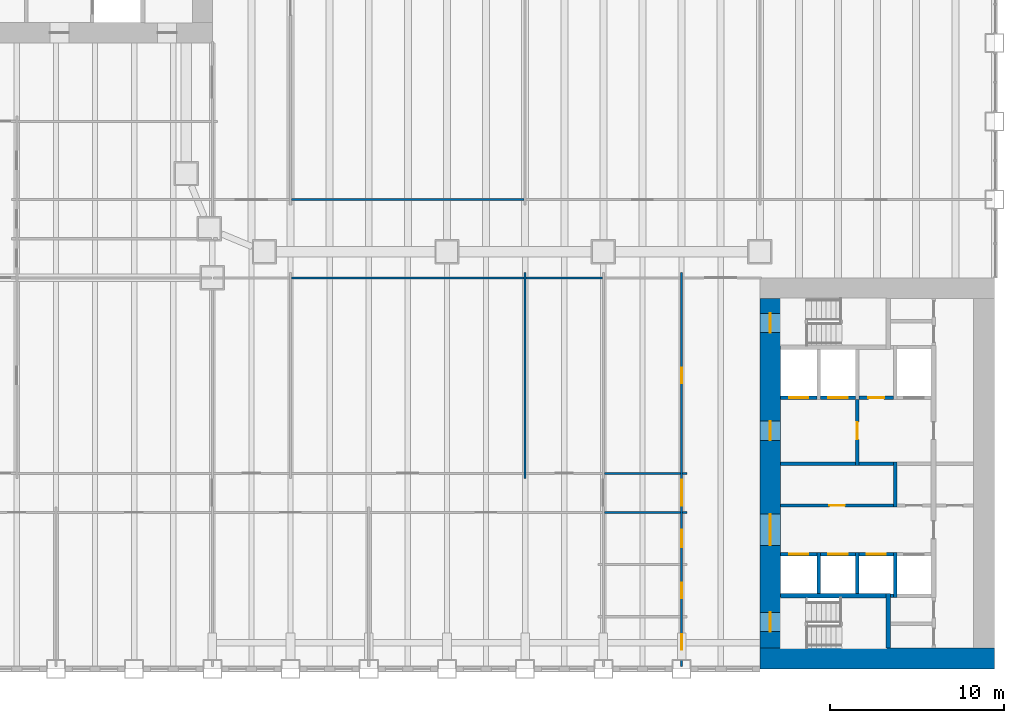
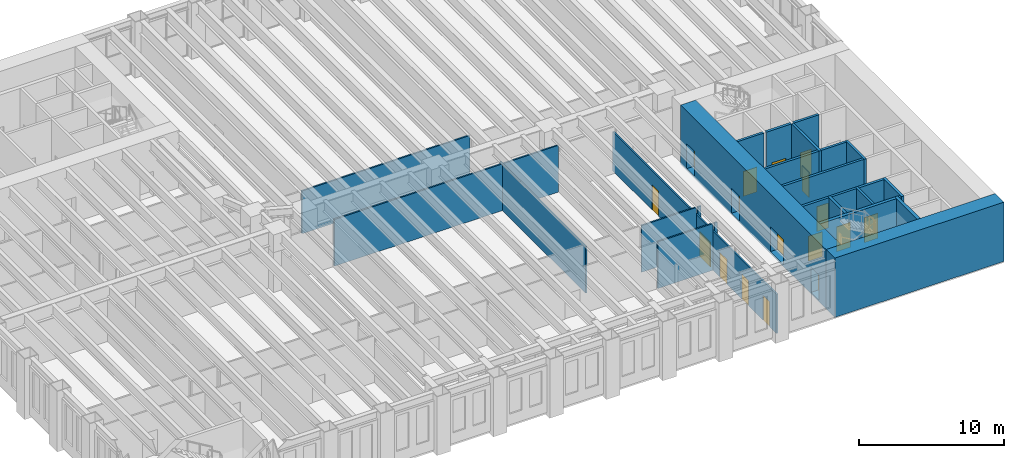
# One storey, part 13 of 21: 28 walls, 17 doors, 17 openings.
"""IFC4 building model written with IfcOpenShell, lengths in metres."""

from ifc_helpers import new_model, si_unit, direction, frame, frame_2d, origin, place, context, subcontext, project, spatial, rectangle, extrude, material, layer, layer_set, type_object, element, fill, save


model = new_model("IFC4")

# Units and contexts
model_context = context("Model", 3, precision=1e-05, world=origin(), true_north=direction((0.0, 1.0)))
body_context = subcontext(model_context, "Body", "Model", "MODEL_VIEW")
ifc_project = project(units=[si_unit("LENGTHUNIT", "METRE"), si_unit("AREAUNIT", "SQUARE_METRE"), si_unit("VOLUMEUNIT", "CUBIC_METRE"), si_unit("PLANEANGLEUNIT", "RADIAN"), si_unit("MASSUNIT", "GRAM", prefix="KILO")], contexts=[model_context])

# Site, building, storey
site_placement = place(None, origin())
site = spatial("IfcSite", under=ifc_project, at=site_placement, CompositionType="ELEMENT")
building_placement = place(site_placement, origin())
building = spatial("IfcBuilding", under=site, at=building_placement, Name="Sennacour Bend Tower", CompositionType="ELEMENT")
storey_placement = place(building_placement, frame((0.0, 0.0, 24.0)))
storey = spatial("IfcBuildingStorey", under=building, at=storey_placement, Name="L04", CompositionType="ELEMENT", Elevation=24.0)

# Wall
ifc_material_1 = material(Name="Concrete C80/95", Category="concrete")
ifc_layer_1 = layer(ifc_material_1, 1.199951171875, Name="Concrete C80/95", Category="concrete")
ifc_layer_set_1 = layer_set([ifc_layer_1], Name="Concrete C80/95")
wall_type_1 = type_object("IfcWallType", Name="Core wall 1200 C80/95", PredefinedType="SHEAR", material=ifc_layer_set_1)
wall_1_placement = place(storey_placement, frame((67.5, 0.60009765625, -0.14990234375), z_axis=(0.0, 0.0, 1.0), x_axis=(-1.0, 0.0, 0.0)))
element("IfcWall", 1, at=wall_1_placement, inside=storey, type_object=wall_type_1, Name="Core A wall L04 S", PredefinedType="SHEAR", context=body_context, shape_type="SweptSolid", body=[
    extrude(rectangle(XDim=13.5, YDim=1.199951171875, at=frame_2d((6.75, 0.0))), origin(), (0.0, 0.0, 1.0), 5.0),
])

# Wall, openings, doors
wall_2_placement = place(storey_placement, frame((54.60009765625, 1.199951171875, -0.14990234375), z_axis=(0.0, 0.0, 1.0), x_axis=(0.0, 1.0, 0.0)))
wall_2 = element("IfcWall", 2, at=wall_2_placement, inside=storey, type_object=wall_type_1, Name="Core A wall L04 W", PredefinedType="SHEAR", context=body_context, shape_type="SweptSolid", body=[
    extrude(rectangle(XDim=20.10009765625, YDim=1.199951171875, at=frame_2d((10.050048828125, 0.0))), origin(), (0.0, 0.0, 1.0), 5.0),
])
opening_1_placement = place(wall_2_placement, frame((5.89990234375, 0.0, 0.14990234375)))
opening_1 = element("IfcOpeningElement", 3, at=opening_1_placement, cuts=wall_2, Name="Opening CD", PredefinedType="OPENING", context=body_context, shape_type="SweptSolid", body=[
    extrude(rectangle(XDim=1.800048828125, YDim=2.10009765625, at=frame_2d((0.89990234375, 1.050048828125))), frame((0.0, 0.60986328125, 0.0), z_axis=(0.0, -1.0, 0.0), x_axis=(1.0, 0.0, 0.0)), (0.0, 0.0, 1.0), 1.219970703125),
])
opening_2_placement = place(wall_2_placement, frame((11.949951171875, 0.0, 0.14990234375)))
opening_2 = element("IfcOpeningElement", 4, at=opening_2_placement, cuts=wall_2, Name="Opening FD", PredefinedType="OPENING", context=body_context, shape_type="SweptSolid", body=[
    extrude(rectangle(XDim=1.10009765625, YDim=2.10009765625, at=frame_2d((0.550048828125, 1.050048828125))), frame((0.0, 0.60986328125, 0.0), z_axis=(0.0, -1.0, 0.0), x_axis=(1.0, 0.0, 0.0)), (0.0, 0.0, 1.0), 1.219970703125),
])
opening_3_placement = place(wall_2_placement, frame((0.949951171875, 0.0, 0.14990234375)))
opening_3 = element("IfcOpeningElement", 5, at=opening_3_placement, cuts=wall_2, Name="Opening SD", PredefinedType="OPENING", context=body_context, shape_type="SweptSolid", body=[
    extrude(rectangle(XDim=1.10009765625, YDim=2.10009765625, at=frame_2d((0.550048828125, 1.050048828125))), frame((0.0, 0.60986328125, 0.0), z_axis=(0.0, -1.0, 0.0), x_axis=(1.0, 0.0, 0.0)), (0.0, 0.0, 1.0), 1.219970703125),
])
opening_4_placement = place(wall_2_placement, frame((18.14990234375, 0.0, 0.14990234375)))
opening_4 = element("IfcOpeningElement", 6, at=opening_4_placement, cuts=wall_2, Name="Opening SD", PredefinedType="OPENING", context=body_context, shape_type="SweptSolid", body=[
    extrude(rectangle(XDim=1.10009765625, YDim=2.10009765625, at=frame_2d((0.550048828125, 1.050048828125))), frame((0.0, 0.60986328125, 0.0), z_axis=(0.0, -1.0, 0.0), x_axis=(1.0, 0.0, 0.0)), (0.0, 0.0, 1.0), 1.219970703125),
])
ifc_material_2 = material(Name="Painted steel", Category="steel")
door_type_1 = type_object("IfcDoorType", Name="DR-FFL-1100", OperationType="NOTDEFINED", PredefinedType="DOOR", material=ifc_material_2)
door_1_placement = place(opening_2_placement, origin())
door_1 = element("IfcDoor", 7, at=door_1_placement, inside=storey, type_object=door_type_1, Name="Door", OperationType="SINGLE_SWING_RIGHT", OverallHeight=2.10009765625, OverallWidth=1.10009765625, PredefinedType="DOOR", context=body_context, shape_type="SweptSolid", body=[
    extrude(rectangle(XDim=1.10009765625, YDim=2.10009765625, at=frame_2d((0.550048828125, 1.050048828125))), frame((0.0, 0.02490234375, 0.0), z_axis=(0.0, -1.0, 0.0), x_axis=(1.0, 0.0, 0.0)), (0.0, 0.0, 1.0), 0.050048828125),
])
fill(opening_2, door_1)
door_type_2 = type_object("IfcDoorType", Name="DR-LOBBY-1800", OperationType="NOTDEFINED", PredefinedType="DOOR", material=ifc_material_2)
door_2_placement = place(opening_1_placement, origin())
door_2 = element("IfcDoor", 8, at=door_2_placement, inside=storey, type_object=door_type_2, Name="Door", OperationType="DOUBLE_DOOR_SINGLE_SWING", OverallHeight=2.10009765625, OverallWidth=1.800048828125, PredefinedType="DOOR", context=body_context, shape_type="SweptSolid", body=[
    extrude(rectangle(XDim=1.800048828125, YDim=2.10009765625, at=frame_2d((0.89990234375, 1.050048828125))), frame((0.0, 0.02490234375, 0.0), z_axis=(0.0, -1.0, 0.0), x_axis=(1.0, 0.0, 0.0)), (0.0, 0.0, 1.0), 0.050048828125),
])
fill(opening_1, door_2)
door_type_3 = type_object("IfcDoorType", Name="DR-STAIR-1100", OperationType="NOTDEFINED", PredefinedType="DOOR", material=ifc_material_2)
door_3_placement = place(opening_3_placement, origin())
door_3 = element("IfcDoor", 9, at=door_3_placement, inside=storey, type_object=door_type_3, Name="Door", OperationType="SINGLE_SWING_LEFT", OverallHeight=2.10009765625, OverallWidth=1.10009765625, PredefinedType="DOOR", context=body_context, shape_type="SweptSolid", body=[
    extrude(rectangle(XDim=1.10009765625, YDim=2.10009765625, at=frame_2d((0.550048828125, 1.050048828125))), frame((0.0, 0.02490234375, 0.0), z_axis=(0.0, -1.0, 0.0), x_axis=(1.0, 0.0, 0.0)), (0.0, 0.0, 1.0), 0.050048828125),
])
fill(opening_3, door_3)
door_4_placement = place(opening_4_placement, origin())
door_4 = element("IfcDoor", 10, at=door_4_placement, inside=storey, type_object=door_type_3, Name="Door", OperationType="SINGLE_SWING_RIGHT", OverallHeight=2.10009765625, OverallWidth=1.10009765625, PredefinedType="DOOR", context=body_context, shape_type="SweptSolid", body=[
    extrude(rectangle(XDim=1.10009765625, YDim=2.10009765625, at=frame_2d((0.550048828125, 1.050048828125))), frame((0.0, 0.02490234375, 0.0), z_axis=(0.0, -1.0, 0.0), x_axis=(1.0, 0.0, 0.0)), (0.0, 0.0, 1.0), 0.050048828125),
])
fill(opening_4, door_4)

# Walls
ifc_material_3 = material(Name="Plasterboard partition on steel studs", Category="steel")
ifc_layer_2 = layer(ifc_material_3, 0.1201171875, Name="Plasterboard partition on steel studs", Category="steel")
ifc_layer_set_2 = layer_set([ifc_layer_2], Name="Plasterboard partition on steel studs")
wall_type_2 = type_object("IfcWallType", Name="Partition 120", PredefinedType="PARTITIONING", material=ifc_layer_set_2)
wall_3_placement = place(storey_placement, frame((40.5, 10.949951171875, 0.0), z_axis=(0.0, 0.0, 1.0), x_axis=(0.0, 1.0, 0.0)))
element("IfcWall", 11, at=wall_3_placement, inside=storey, type_object=wall_type_2, Name="P-L04-W026a", PredefinedType="PARTITIONING", context=body_context, shape_type="SweptSolid", body=[
    extrude(rectangle(XDim=11.85009765625, YDim=0.1201171875, at=frame_2d((5.925048828125, 0.0))), origin(), (0.0, 0.0, 1.0), 3.93798828125),
])
wall_4_placement = place(storey_placement, frame((45.06005859375, 9.0, 0.0), z_axis=(0.0, 0.0, 1.0), x_axis=(1.0, 0.0, 0.0)))
element("IfcWall", 12, at=wall_4_placement, inside=storey, type_object=wall_type_2, Name="P-L04-W055af", PredefinedType="PARTITIONING", context=body_context, shape_type="SweptSolid", body=[
    extrude(rectangle(XDim=4.3798828125, YDim=0.1201171875, at=frame_2d((2.18994140625, 0.0))), origin(), (0.0, 0.0, 1.0), 3.93798828125),
])
wall_5_placement = place(storey_placement, frame((49.56005859375, 9.0, 0.0), z_axis=(0.0, 0.0, 1.0), x_axis=(1.0, 0.0, 0.0)))
element("IfcWall", 13, at=wall_5_placement, inside=storey, type_object=wall_type_2, Name="P-L04-W055ag", PredefinedType="PARTITIONING", context=body_context, shape_type="SweptSolid", body=[
    extrude(rectangle(XDim=0.239990234375, YDim=0.1201171875, at=frame_2d((0.1201171875, 0.0))), origin(), (0.0, 0.0, 1.0), 3.93798828125),
])
wall_6_placement = place(storey_placement, frame((45.06005859375, 11.25, 0.0), z_axis=(0.0, 0.0, 1.0), x_axis=(1.0, 0.0, 0.0)))
element("IfcWall", 14, at=wall_6_placement, inside=storey, type_object=wall_type_2, Name="P-L04-W057ag", PredefinedType="PARTITIONING", context=body_context, shape_type="SweptSolid", body=[
    extrude(rectangle(XDim=4.3798828125, YDim=0.1201171875, at=frame_2d((2.18994140625, 0.0))), origin(), (0.0, 0.0, 1.0), 3.93798828125),
])
wall_7_placement = place(storey_placement, frame((49.56005859375, 11.25, 0.0), z_axis=(0.0, 0.0, 1.0), x_axis=(1.0, 0.0, 0.0)))
element("IfcWall", 15, at=wall_7_placement, inside=storey, type_object=wall_type_2, Name="P-L04-W057ah", PredefinedType="PARTITIONING", context=body_context, shape_type="SweptSolid", body=[
    extrude(rectangle(XDim=0.239990234375, YDim=0.1201171875, at=frame_2d((0.1201171875, 0.0))), origin(), (0.0, 0.0, 1.0), 3.93798828125),
])
wall_8_placement = place(storey_placement, frame((27.06005859375, 22.5, 0.0), z_axis=(0.0, 0.0, 1.0), x_axis=(1.0, 0.0, 0.0)))
element("IfcWall", 16, at=wall_8_placement, inside=storey, type_object=wall_type_2, Name="P-L04-W066ae", PredefinedType="PARTITIONING", context=body_context, shape_type="SweptSolid", body=[
    extrude(rectangle(XDim=13.3798828125, YDim=0.1201171875, at=frame_2d((6.68994140625, 0.0))), origin(), (0.0, 0.0, 1.0), 3.93798828125),
])
wall_9_placement = place(storey_placement, frame((40.56005859375, 22.5, 0.0), z_axis=(0.0, 0.0, 1.0), x_axis=(1.0, 0.0, 0.0)))
element("IfcWall", 17, at=wall_9_placement, inside=storey, type_object=wall_type_2, Name="P-L04-W066af", PredefinedType="PARTITIONING", context=body_context, shape_type="SweptSolid", body=[
    extrude(rectangle(XDim=4.3798828125, YDim=0.1201171875, at=frame_2d((2.18994140625, 0.0))), origin(), (0.0, 0.0, 1.0), 3.93798828125),
])
wall_10_placement = place(storey_placement, frame((27.06005859375, 27.0, 0.0), z_axis=(0.0, 0.0, 1.0), x_axis=(1.0, 0.0, 0.0)))
element("IfcWall", 18, at=wall_10_placement, inside=storey, type_object=wall_type_2, Name="P-L04-W069ad", PredefinedType="PARTITIONING", context=body_context, shape_type="SweptSolid", body=[
    extrude(rectangle(XDim=13.3798828125, YDim=0.1201171875, at=frame_2d((6.68994140625, 0.0))), origin(), (0.0, 0.0, 1.0), 3.610107421875),
])

# Wall, openings, doors
ifc_layer_3 = layer(ifc_material_3, 0.1201171875, Name="Plasterboard partition on steel studs", Category="steel")
ifc_layer_set_3 = layer_set([ifc_layer_3], Name="Plasterboard partition on steel studs")
wall_type_3 = type_object("IfcWallType", Name="Partition 120 EI 60", PredefinedType="PARTITIONING", material=ifc_layer_set_3)
wall_11_placement = place(storey_placement, frame((49.5, 0.14990234375, 0.0), z_axis=(0.0, 0.0, 1.0), x_axis=(0.0, 1.0, 0.0)))
wall_11 = element("IfcWall", 19, at=wall_11_placement, inside=storey, type_object=wall_type_3, Name="P-L04-W029a", PredefinedType="PARTITIONING", context=body_context, shape_type="SweptSolid", body=[
    extrude(rectangle(XDim=22.650146484375, YDim=0.1201171875, at=frame_2d((11.3251953125, 0.0))), origin(), (0.0, 0.0, 1.0), 3.300048828125),
])
opening_5_placement = place(wall_11_placement, frame((0.955078125, 0.0, 0.0)))
opening_5 = element("IfcOpeningElement", 20, at=opening_5_placement, cuts=wall_11, Name="Opening WD", PredefinedType="OPENING", context=body_context, shape_type="SweptSolid", body=[
    extrude(rectangle(XDim=0.89990234375, YDim=2.10009765625, at=frame_2d((0.449951171875, 1.050048828125))), frame((0.0, 0.070068359375, 0.0), z_axis=(0.0, -1.0, 0.0), x_axis=(1.0, 0.0, 0.0)), (0.0, 0.0, 1.0), 0.14013671875),
])
opening_6_placement = place(wall_11_placement, frame((3.900146484375, 0.0, 0.0)))
opening_6 = element("IfcOpeningElement", 21, at=opening_6_placement, cuts=wall_11, Name="Opening WD", PredefinedType="OPENING", context=body_context, shape_type="SweptSolid", body=[
    extrude(rectangle(XDim=0.89990234375, YDim=2.10009765625, at=frame_2d((0.449951171875, 1.050048828125))), frame((0.0, 0.070068359375, 0.0), z_axis=(0.0, -1.0, 0.0), x_axis=(1.0, 0.0, 0.0)), (0.0, 0.0, 1.0), 0.14013671875),
])
opening_7_placement = place(wall_11_placement, frame((6.85009765625, 0.0, 0.0)))
opening_7 = element("IfcOpeningElement", 22, at=opening_7_placement, cuts=wall_11, Name="Opening AD", PredefinedType="OPENING", context=body_context, shape_type="SweptSolid", body=[
    extrude(rectangle(XDim=1.0, YDim=2.10009765625, at=frame_2d((0.5, 1.050048828125))), frame((0.0, 0.070068359375, 0.0), z_axis=(0.0, -1.0, 0.0), x_axis=(1.0, 0.0, 0.0)), (0.0, 0.0, 1.0), 0.14013671875),
])
opening_8_placement = place(wall_11_placement, frame((16.275146484375, 0.0, 0.0)))
opening_8 = element("IfcOpeningElement", 23, at=opening_8_placement, cuts=wall_11, Name="Opening SV", PredefinedType="OPENING", context=body_context, shape_type="SweptSolid", body=[
    extrude(rectangle(XDim=0.89990234375, YDim=2.10009765625, at=frame_2d((0.449951171875, 1.050048828125))), frame((0.0, 0.070068359375, 0.0), z_axis=(0.0, -1.0, 0.0), x_axis=(1.0, 0.0, 0.0)), (0.0, 0.0, 1.0), 0.14013671875),
])
opening_9_placement = place(wall_11_placement, frame((9.22509765625, 0.0, 0.0)))
opening_9 = element("IfcOpeningElement", 24, at=opening_9_placement, cuts=wall_11, Name="Opening KD", PredefinedType="OPENING", context=body_context, shape_type="SweptSolid", body=[
    extrude(rectangle(XDim=1.5, YDim=2.10009765625, at=frame_2d((0.75, 1.050048828125))), frame((0.0, 0.070068359375, 0.0), z_axis=(0.0, -1.0, 0.0), x_axis=(1.0, 0.0, 0.0)), (0.0, 0.0, 1.0), 0.14013671875),
])
ifc_material_4 = material(Name="Timber", Category="wood")
door_type_4 = type_object("IfcDoorType", Name="DR-ACC-WC-1000", OperationType="NOTDEFINED", PredefinedType="DOOR", material=ifc_material_4)
door_5_placement = place(opening_7_placement, origin())
door_5 = element("IfcDoor", 25, at=door_5_placement, inside=storey, type_object=door_type_4, Name="Door", OperationType="SINGLE_SWING_LEFT", OverallHeight=2.10009765625, OverallWidth=1.0, PredefinedType="DOOR", context=body_context, shape_type="SweptSolid", body=[
    extrude(rectangle(XDim=1.0, YDim=2.10009765625, at=frame_2d((0.5, 1.050048828125))), frame((0.0, 0.02490234375, 0.0), z_axis=(0.0, -1.0, 0.0), x_axis=(1.0, 0.0, 0.0)), (0.0, 0.0, 1.0), 0.050048828125),
])
fill(opening_7, door_5)
door_type_5 = type_object("IfcDoorType", Name="DR-CORRIDOR-1500", OperationType="NOTDEFINED", PredefinedType="DOOR", material=ifc_material_2)
door_6_placement = place(opening_9_placement, origin())
door_6 = element("IfcDoor", 26, at=door_6_placement, inside=storey, type_object=door_type_5, Name="Door", OperationType="SINGLE_SWING_LEFT", OverallHeight=2.10009765625, OverallWidth=1.5, PredefinedType="DOOR", context=body_context, shape_type="SweptSolid", body=[
    extrude(rectangle(XDim=1.5, YDim=2.10009765625, at=frame_2d((0.75, 1.050048828125))), frame((0.0, 0.02490234375, 0.0), z_axis=(0.0, -1.0, 0.0), x_axis=(1.0, 0.0, 0.0)), (0.0, 0.0, 1.0), 0.050048828125),
])
fill(opening_9, door_6)
door_type_6 = type_object("IfcDoorType", Name="DR-SERVICE-900", OperationType="NOTDEFINED", PredefinedType="DOOR", material=ifc_material_2)
door_7_placement = place(opening_8_placement, origin())
door_7 = element("IfcDoor", 27, at=door_7_placement, inside=storey, type_object=door_type_6, Name="Door", OperationType="SINGLE_SWING_RIGHT", OverallHeight=2.10009765625, OverallWidth=0.89990234375, PredefinedType="DOOR", context=body_context, shape_type="SweptSolid", body=[
    extrude(rectangle(XDim=0.89990234375, YDim=2.10009765625, at=frame_2d((0.449951171875, 1.050048828125))), frame((0.0, 0.02490234375, 0.0), z_axis=(0.0, -1.0, 0.0), x_axis=(1.0, 0.0, 0.0)), (0.0, 0.0, 1.0), 0.050048828125),
])
fill(opening_8, door_7)
door_type_7 = type_object("IfcDoorType", Name="DR-WC-900", OperationType="NOTDEFINED", PredefinedType="DOOR", material=ifc_material_4)
door_8_placement = place(opening_5_placement, origin())
door_8 = element("IfcDoor", 28, at=door_8_placement, inside=storey, type_object=door_type_7, Name="Door", OperationType="SINGLE_SWING_LEFT", OverallHeight=2.10009765625, OverallWidth=0.89990234375, PredefinedType="DOOR", context=body_context, shape_type="SweptSolid", body=[
    extrude(rectangle(XDim=0.89990234375, YDim=2.10009765625, at=frame_2d((0.449951171875, 1.050048828125))), frame((0.0, 0.02490234375, 0.0), z_axis=(0.0, -1.0, 0.0), x_axis=(1.0, 0.0, 0.0)), (0.0, 0.0, 1.0), 0.050048828125),
])
fill(opening_5, door_8)
door_9_placement = place(opening_6_placement, origin())
door_9 = element("IfcDoor", 29, at=door_9_placement, inside=storey, type_object=door_type_7, Name="Door", OperationType="SINGLE_SWING_LEFT", OverallHeight=2.10009765625, OverallWidth=0.89990234375, PredefinedType="DOOR", context=body_context, shape_type="SweptSolid", body=[
    extrude(rectangle(XDim=0.89990234375, YDim=2.10009765625, at=frame_2d((0.449951171875, 1.050048828125))), frame((0.0, 0.02490234375, 0.0), z_axis=(0.0, -1.0, 0.0), x_axis=(1.0, 0.0, 0.0)), (0.0, 0.0, 1.0), 0.050048828125),
])
fill(opening_6, door_9)

# Wall
ifc_material_5 = material(Name="Fire-rated plasterboard partition on steel studs", Category="steel")
ifc_layer_4 = layer(ifc_material_5, 0.199951171875, Name="Fire-rated plasterboard partition on steel studs", Category="steel")
ifc_layer_set_4 = layer_set([ifc_layer_4], Name="Fire-rated plasterboard partition on steel studs")
wall_type_4 = type_object("IfcWallType", Name="Rated partition 200", PredefinedType="PARTITIONING", material=ifc_layer_set_4)
wall_12_placement = place(storey_placement, frame((61.800048828125, 9.300048828125, 0.0), z_axis=(0.0, 0.0, 1.0), x_axis=(0.0, 1.0, 0.0)))
element("IfcWall", 30, at=wall_12_placement, inside=storey, type_object=wall_type_4, Name="P-L04-W039", PredefinedType="PARTITIONING", context=body_context, shape_type="SweptSolid", body=[
    extrude(rectangle(XDim=2.599853515625, YDim=0.199951171875, at=frame_2d((1.2998046875, 0.0))), origin(), (0.0, 0.0, 1.0), 4.85009765625),
])

# Wall, opening, door
wall_13_placement = place(storey_placement, frame((55.199951171875, 9.39990234375, 0.0), z_axis=(0.0, 0.0, 1.0), x_axis=(1.0, 0.0, 0.0)))
wall_13 = element("IfcWall", 31, at=wall_13_placement, inside=storey, type_object=wall_type_4, Name="P-L04-W056a", PredefinedType="PARTITIONING", context=body_context, shape_type="SweptSolid", body=[
    extrude(rectangle(XDim=6.5, YDim=0.199951171875, at=frame_2d((3.25, 0.0))), origin(), (0.0, 0.0, 1.0), 4.85009765625),
])
opening_10_placement = place(wall_13_placement, frame((2.800048828125, 0.0, 0.0)))
opening_10 = element("IfcOpeningElement", 32, at=opening_10_placement, cuts=wall_13, Name="Opening SV", PredefinedType="OPENING", context=body_context, shape_type="SweptSolid", body=[
    extrude(rectangle(XDim=0.89990234375, YDim=2.10009765625, at=frame_2d((0.449951171875, 1.050048828125))), frame((0.0, 0.10986328125, 0.0), z_axis=(0.0, -1.0, 0.0), x_axis=(1.0, 0.0, 0.0)), (0.0, 0.0, 1.0), 0.219970703125),
])
door_10_placement = place(opening_10_placement, origin())
door_10 = element("IfcDoor", 33, at=door_10_placement, inside=storey, type_object=door_type_6, Name="Door", OperationType="SINGLE_SWING_LEFT", OverallHeight=2.10009765625, OverallWidth=0.89990234375, PredefinedType="DOOR", context=body_context, shape_type="SweptSolid", body=[
    extrude(rectangle(XDim=0.89990234375, YDim=2.10009765625, at=frame_2d((0.449951171875, 1.050048828125))), frame((0.0, 0.02490234375, 0.0), z_axis=(0.0, -1.0, 0.0), x_axis=(1.0, 0.0, 0.0)), (0.0, 0.0, 1.0), 0.050048828125),
])
fill(opening_10, door_10)

# Walls
wall_14_placement = place(storey_placement, frame((55.199951171875, 11.800048828125, 0.0), z_axis=(0.0, 0.0, 1.0), x_axis=(1.0, 0.0, 0.0)))
element("IfcWall", 34, at=wall_14_placement, inside=storey, type_object=wall_type_4, Name="P-L04-W058a", PredefinedType="PARTITIONING", context=body_context, shape_type="SweptSolid", body=[
    extrude(rectangle(XDim=4.300048828125, YDim=0.199951171875, at=frame_2d((2.14990234375, 0.0))), origin(), (0.0, 0.0, 1.0), 4.85009765625),
])
wall_15_placement = place(storey_placement, frame((59.699951171875, 11.800048828125, 0.0), z_axis=(0.0, 0.0, 1.0), x_axis=(1.0, 0.0, 0.0)))
element("IfcWall", 35, at=wall_15_placement, inside=storey, type_object=wall_type_4, Name="P-L04-W058b", PredefinedType="PARTITIONING", context=body_context, shape_type="SweptSolid", body=[
    extrude(rectangle(XDim=2.0, YDim=0.199951171875, at=frame_2d((1.0, 0.0))), origin(), (0.0, 0.0, 1.0), 4.85009765625),
])

# Wall, opening, door
wall_16_placement = place(storey_placement, frame((59.699951171875, 15.60009765625, 0.0), z_axis=(0.0, 0.0, 1.0), x_axis=(1.0, 0.0, 0.0)))
wall_16 = element("IfcWall", 36, at=wall_16_placement, inside=storey, type_object=wall_type_4, Name="P-L04-W060", PredefinedType="PARTITIONING", context=body_context, shape_type="SweptSolid", body=[
    extrude(rectangle(XDim=2.0, YDim=0.199951171875, at=frame_2d((1.0, 0.0))), origin(), (0.0, 0.0, 1.0), 4.85009765625),
])
opening_11_placement = place(wall_16_placement, frame((0.550048828125, 0.0, 0.0)))
opening_11 = element("IfcOpeningElement", 37, at=opening_11_placement, cuts=wall_16, Name="Opening SV", PredefinedType="OPENING", context=body_context, shape_type="SweptSolid", body=[
    extrude(rectangle(XDim=0.89990234375, YDim=2.10009765625, at=frame_2d((0.449951171875, 1.050048828125))), frame((0.0, 0.10986328125, 0.0), z_axis=(0.0, -1.0, 0.0), x_axis=(1.0, 0.0, 0.0)), (0.0, 0.0, 1.0), 0.219970703125),
])
door_11_placement = place(opening_11_placement, origin())
door_11 = element("IfcDoor", 38, at=door_11_placement, inside=storey, type_object=door_type_6, Name="Door", OperationType="SINGLE_SWING_RIGHT", OverallHeight=2.10009765625, OverallWidth=0.89990234375, PredefinedType="DOOR", context=body_context, shape_type="SweptSolid", body=[
    extrude(rectangle(XDim=0.89990234375, YDim=2.10009765625, at=frame_2d((0.449951171875, 1.050048828125))), frame((0.0, 0.02490234375, 0.0), z_axis=(0.0, -1.0, 0.0), x_axis=(1.0, 0.0, 0.0)), (0.0, 0.0, 1.0), 0.050048828125),
])
fill(opening_11, door_11)

ifc_layer_5 = layer(ifc_material_5, 0.199951171875, Name="Fire-rated plasterboard partition on steel studs", Category="steel")
ifc_layer_set_5 = layer_set([ifc_layer_5], Name="Fire-rated plasterboard partition on steel studs")
wall_type_5 = type_object("IfcWallType", Name="Rated partition 200 EI 90", PredefinedType="PARTITIONING", material=ifc_layer_set_5)
wall_17_placement = place(storey_placement, frame((59.60009765625, 11.699951171875, 0.0), z_axis=(0.0, 0.0, 1.0), x_axis=(0.0, 1.0, 0.0)))
wall_17 = element("IfcWall", 39, at=wall_17_placement, inside=storey, type_object=wall_type_5, Name="P-L04-W034", PredefinedType="PARTITIONING", context=body_context, shape_type="SweptSolid", body=[
    extrude(rectangle(XDim=3.800048828125, YDim=0.199951171875, at=frame_2d((1.89990234375, 0.0))), origin(), (0.0, 0.0, 1.0), 4.85009765625),
])
opening_12_placement = place(wall_17_placement, frame((1.5, 0.0, 0.0)))
opening_12 = element("IfcOpeningElement", 40, at=opening_12_placement, cuts=wall_17, Name="Opening FD2", PredefinedType="OPENING", context=body_context, shape_type="SweptSolid", body=[
    extrude(rectangle(XDim=1.0, YDim=2.10009765625, at=frame_2d((0.5, 1.050048828125))), frame((0.0, 0.10986328125, 0.0), z_axis=(0.0, -1.0, 0.0), x_axis=(1.0, 0.0, 0.0)), (0.0, 0.0, 1.0), 0.219970703125),
])
door_type_8 = type_object("IfcDoorType", Name="DR-FFL-1000", OperationType="NOTDEFINED", PredefinedType="DOOR", material=ifc_material_2)
door_12_placement = place(opening_12_placement, origin())
door_12 = element("IfcDoor", 41, at=door_12_placement, inside=storey, type_object=door_type_8, Name="Door", OperationType="SINGLE_SWING_RIGHT", OverallHeight=2.10009765625, OverallWidth=1.0, PredefinedType="DOOR", context=body_context, shape_type="SweptSolid", body=[
    extrude(rectangle(XDim=1.0, YDim=2.10009765625, at=frame_2d((0.5, 1.050048828125))), frame((0.0, 0.02490234375, 0.0), z_axis=(0.0, -1.0, 0.0), x_axis=(1.0, 0.0, 0.0)), (0.0, 0.0, 1.0), 0.050048828125),
])
fill(opening_12, door_12)

# Walls
ifc_material_6 = material(Name="Concrete C50/60", Category="concrete")
ifc_layer_6 = layer(ifc_material_6, 0.199951171875, Name="Concrete C50/60", Category="concrete")
ifc_layer_set_6 = layer_set([ifc_layer_6], Name="Concrete C50/60")
wall_type_6 = type_object("IfcWallType", Name="Shaft wall 200", PredefinedType="SOLIDWALL", material=ifc_layer_set_6)
for number, where, z_axis, x_axis, name in (
    (42, (57.39990234375, 4.324951171875, 0.0), (0.0, 0.0, 1.0), (0.0, 1.0, 0.0), "P-L04-W031"),
    (43, (59.60009765625, 4.324951171875, 0.0), (0.0, 0.0, 1.0), (0.0, 1.0, 0.0), "P-L04-W033"),
):
    element("IfcWall", number, at=place(storey_placement, frame(where, z_axis=z_axis, x_axis=x_axis)), inside=storey, type_object=wall_type_6, Name=name, PredefinedType="SOLIDWALL", context=body_context, shape_type="SweptSolid", body=[
        extrude(rectangle(XDim=2.375, YDim=0.199951171875, at=frame_2d((1.1875, 0.0))), origin(), (0.0, 0.0, 1.0), 4.85009765625),
    ])
wall_18_placement = place(storey_placement, frame((61.800048828125, 4.10009765625, 0.0), z_axis=(0.0, 0.0, 1.0), x_axis=(0.0, 1.0, 0.0)))
element("IfcWall", 44, at=wall_18_placement, inside=storey, type_object=wall_type_6, Name="P-L04-W038", PredefinedType="SOLIDWALL", context=body_context, shape_type="SweptSolid", body=[
    extrude(rectangle(XDim=2.599853515625, YDim=0.199951171875, at=frame_2d((1.2998046875, 0.0))), origin(), (0.0, 0.0, 1.0), 4.85009765625),
])
wall_19_placement = place(storey_placement, frame((61.52490234375, 4.199951171875, 0.0), z_axis=(0.0, 0.0, 1.0), x_axis=(1.0, 0.0, 0.0)))
element("IfcWall", 45, at=wall_19_placement, inside=storey, type_object=wall_type_6, Name="P-L04-W052a", PredefinedType="SOLIDWALL", context=body_context, shape_type="SweptSolid", body=[
    extrude(rectangle(XDim=0.175048828125, YDim=0.199951171875, at=frame_2d((0.08740234375, 0.0))), origin(), (0.0, 0.0, 1.0), 4.85009765625),
])

# Wall, opening, door
wall_20_placement = place(storey_placement, frame((55.199951171875, 6.60009765625, 0.0), z_axis=(0.0, 0.0, 1.0), x_axis=(1.0, 0.0, 0.0)))
wall_20 = element("IfcWall", 46, at=wall_20_placement, inside=storey, type_object=wall_type_6, Name="P-L04-W054a", PredefinedType="SOLIDWALL", context=body_context, shape_type="SweptSolid", body=[
    extrude(rectangle(XDim=2.10009765625, YDim=0.199951171875, at=frame_2d((1.050048828125, 0.0))), origin(), (0.0, 0.0, 1.0), 4.85009765625),
])
opening_13_placement = place(wall_20_placement, frame((0.5, 0.0, 0.011962890625)))
opening_13 = element("IfcOpeningElement", 47, at=opening_13_placement, cuts=wall_20, Name="Opening LD", PredefinedType="OPENING", context=body_context, shape_type="SweptSolid", body=[
    extrude(rectangle(XDim=1.10009765625, YDim=2.10009765625, at=frame_2d((0.550048828125, 1.050048828125))), frame((0.0, 0.10986328125, 0.0), z_axis=(0.0, -1.0, 0.0), x_axis=(1.0, 0.0, 0.0)), (0.0, 0.0, 1.0), 0.219970703125),
])
ifc_material_7 = material(Name="Stainless steel", Category="steel")
door_type_9 = type_object("IfcDoorType", Name="DR-LANDING-1100", OperationType="NOTDEFINED", PredefinedType="DOOR", material=ifc_material_7)
door_13_placement = place(opening_13_placement, origin())
door_13 = element("IfcDoor", 48, at=door_13_placement, inside=storey, type_object=door_type_9, Name="Lift landing door LA1", OperationType="SLIDING_TO_LEFT", OverallHeight=2.10009765625, OverallWidth=1.10009765625, PredefinedType="DOOR", context=body_context, shape_type="SweptSolid", body=[
    extrude(rectangle(XDim=1.10009765625, YDim=2.10009765625, at=frame_2d((0.550048828125, 1.050048828125))), frame((0.0, 0.02490234375, 0.0), z_axis=(0.0, -1.0, 0.0), x_axis=(1.0, 0.0, 0.0)), (0.0, 0.0, 1.0), 0.050048828125),
])
fill(opening_13, door_13)

wall_21_placement = place(storey_placement, frame((57.5, 6.60009765625, 0.0), z_axis=(0.0, 0.0, 1.0), x_axis=(1.0, 0.0, 0.0)))
wall_21 = element("IfcWall", 49, at=wall_21_placement, inside=storey, type_object=wall_type_6, Name="P-L04-W054b", PredefinedType="SOLIDWALL", context=body_context, shape_type="SweptSolid", body=[
    extrude(rectangle(XDim=2.0, YDim=0.199951171875, at=frame_2d((1.0, 0.0))), origin(), (0.0, 0.0, 1.0), 4.85009765625),
])
opening_14_placement = place(wall_21_placement, frame((0.449951171875, 0.0, 0.011962890625)))
opening_14 = element("IfcOpeningElement", 50, at=opening_14_placement, cuts=wall_21, Name="Opening LD", PredefinedType="OPENING", context=body_context, shape_type="SweptSolid", body=[
    extrude(rectangle(XDim=1.10009765625, YDim=2.10009765625, at=frame_2d((0.550048828125, 1.050048828125))), frame((0.0, 0.10986328125, 0.0), z_axis=(0.0, -1.0, 0.0), x_axis=(1.0, 0.0, 0.0)), (0.0, 0.0, 1.0), 0.219970703125),
])
door_14_placement = place(opening_14_placement, origin())
door_14 = element("IfcDoor", 51, at=door_14_placement, inside=storey, type_object=door_type_9, Name="Lift landing door LA2", OperationType="SLIDING_TO_RIGHT", OverallHeight=2.10009765625, OverallWidth=1.10009765625, PredefinedType="DOOR", context=body_context, shape_type="SweptSolid", body=[
    extrude(rectangle(XDim=1.10009765625, YDim=2.10009765625, at=frame_2d((0.550048828125, 1.050048828125))), frame((0.0, 0.02490234375, 0.0), z_axis=(0.0, -1.0, 0.0), x_axis=(1.0, 0.0, 0.0)), (0.0, 0.0, 1.0), 0.050048828125),
])
fill(opening_14, door_14)

wall_22_placement = place(storey_placement, frame((59.699951171875, 6.60009765625, 0.0), z_axis=(0.0, 0.0, 1.0), x_axis=(1.0, 0.0, 0.0)))
wall_22 = element("IfcWall", 52, at=wall_22_placement, inside=storey, type_object=wall_type_6, Name="P-L04-W054c", PredefinedType="SOLIDWALL", context=body_context, shape_type="SweptSolid", body=[
    extrude(rectangle(XDim=2.0, YDim=0.199951171875, at=frame_2d((1.0, 0.0))), origin(), (0.0, 0.0, 1.0), 4.85009765625),
])
opening_15_placement = place(wall_22_placement, frame((0.449951171875, 0.0, 0.011962890625)))
opening_15 = element("IfcOpeningElement", 53, at=opening_15_placement, cuts=wall_22, Name="Opening LD", PredefinedType="OPENING", context=body_context, shape_type="SweptSolid", body=[
    extrude(rectangle(XDim=1.10009765625, YDim=2.10009765625, at=frame_2d((0.550048828125, 1.050048828125))), frame((0.0, 0.10986328125, 0.0), z_axis=(0.0, -1.0, 0.0), x_axis=(1.0, 0.0, 0.0)), (0.0, 0.0, 1.0), 0.219970703125),
])
door_15_placement = place(opening_15_placement, origin())
door_15 = element("IfcDoor", 54, at=door_15_placement, inside=storey, type_object=door_type_9, Name="Lift landing door LA3", OperationType="SLIDING_TO_LEFT", OverallHeight=2.10009765625, OverallWidth=1.10009765625, PredefinedType="DOOR", context=body_context, shape_type="SweptSolid", body=[
    extrude(rectangle(XDim=1.10009765625, YDim=2.10009765625, at=frame_2d((0.550048828125, 1.050048828125))), frame((0.0, 0.02490234375, 0.0), z_axis=(0.0, -1.0, 0.0), x_axis=(1.0, 0.0, 0.0)), (0.0, 0.0, 1.0), 0.050048828125),
])
fill(opening_15, door_15)

wall_23_placement = place(storey_placement, frame((55.199951171875, 15.60009765625, 0.0), z_axis=(0.0, 0.0, 1.0), x_axis=(1.0, 0.0, 0.0)))
wall_23 = element("IfcWall", 55, at=wall_23_placement, inside=storey, type_object=wall_type_6, Name="P-L04-W059a", PredefinedType="SOLIDWALL", context=body_context, shape_type="SweptSolid", body=[
    extrude(rectangle(XDim=2.10009765625, YDim=0.199951171875, at=frame_2d((1.050048828125, 0.0))), origin(), (0.0, 0.0, 1.0), 4.85009765625),
])
opening_16_placement = place(wall_23_placement, frame((0.5, 0.0, 0.011962890625)))
opening_16 = element("IfcOpeningElement", 56, at=opening_16_placement, cuts=wall_23, Name="Opening FLD", PredefinedType="OPENING", context=body_context, shape_type="SweptSolid", body=[
    extrude(rectangle(XDim=1.10009765625, YDim=2.10009765625, at=frame_2d((0.550048828125, 1.050048828125))), frame((0.0, 0.10986328125, 0.0), z_axis=(0.0, -1.0, 0.0), x_axis=(1.0, 0.0, 0.0)), (0.0, 0.0, 1.0), 0.219970703125),
])
door_type_10 = type_object("IfcDoorType", Name="DR-FF-LANDING-1100", OperationType="NOTDEFINED", PredefinedType="DOOR", material=ifc_material_7)
door_16_placement = place(opening_16_placement, origin())
door_16 = element("IfcDoor", 57, at=door_16_placement, inside=storey, type_object=door_type_10, Name="Fire service lift landing door FA1", OperationType="SLIDING_TO_LEFT", OverallHeight=2.10009765625, OverallWidth=1.10009765625, PredefinedType="DOOR", context=body_context, shape_type="SweptSolid", body=[
    extrude(rectangle(XDim=1.10009765625, YDim=2.10009765625, at=frame_2d((0.550048828125, 1.050048828125))), frame((0.0, 0.02490234375, 0.0), z_axis=(0.0, -1.0, 0.0), x_axis=(1.0, 0.0, 0.0)), (0.0, 0.0, 1.0), 0.050048828125),
])
fill(opening_16, door_16)

wall_24_placement = place(storey_placement, frame((57.5, 15.60009765625, 0.0), z_axis=(0.0, 0.0, 1.0), x_axis=(1.0, 0.0, 0.0)))
wall_24 = element("IfcWall", 58, at=wall_24_placement, inside=storey, type_object=wall_type_6, Name="P-L04-W059b", PredefinedType="SOLIDWALL", context=body_context, shape_type="SweptSolid", body=[
    extrude(rectangle(XDim=2.0, YDim=0.199951171875, at=frame_2d((1.0, 0.0))), origin(), (0.0, 0.0, 1.0), 4.85009765625),
])
opening_17_placement = place(wall_24_placement, frame((0.449951171875, 0.0, 0.011962890625)))
opening_17 = element("IfcOpeningElement", 59, at=opening_17_placement, cuts=wall_24, Name="Opening FLD", PredefinedType="OPENING", context=body_context, shape_type="SweptSolid", body=[
    extrude(rectangle(XDim=1.10009765625, YDim=2.10009765625, at=frame_2d((0.550048828125, 1.050048828125))), frame((0.0, 0.10986328125, 0.0), z_axis=(0.0, -1.0, 0.0), x_axis=(1.0, 0.0, 0.0)), (0.0, 0.0, 1.0), 0.219970703125),
])
door_17_placement = place(opening_17_placement, origin())
door_17 = element("IfcDoor", 60, at=door_17_placement, inside=storey, type_object=door_type_10, Name="Fire service lift landing door FA2", OperationType="SLIDING_TO_RIGHT", OverallHeight=2.10009765625, OverallWidth=1.10009765625, PredefinedType="DOOR", context=body_context, shape_type="SweptSolid", body=[
    extrude(rectangle(XDim=1.10009765625, YDim=2.10009765625, at=frame_2d((0.550048828125, 1.050048828125))), frame((0.0, 0.02490234375, 0.0), z_axis=(0.0, -1.0, 0.0), x_axis=(1.0, 0.0, 0.0)), (0.0, 0.0, 1.0), 0.050048828125),
])
fill(opening_17, door_17)

# Walls
ifc_material_8 = material(Name="Concrete C60/75", Category="concrete")
ifc_layer_7 = layer(ifc_material_8, 0.25, Name="Concrete C60/75", Category="concrete")
ifc_layer_set_7 = layer_set([ifc_layer_7], Name="Concrete C60/75")
wall_type_7 = type_object("IfcWallType", Name="Stair wall 250", PredefinedType="SHEAR", material=ifc_layer_set_7)
wall_25_placement = place(storey_placement, frame((61.39990234375, 1.199951171875, 0.0), z_axis=(0.0, 0.0, 1.0), x_axis=(0.0, 1.0, 0.0)))
element("IfcWall", 61, at=wall_25_placement, inside=storey, type_object=wall_type_7, Name="P-L04-W036", PredefinedType="SHEAR", context=body_context, shape_type="SweptSolid", body=[
    extrude(rectangle(XDim=3.125, YDim=0.25, at=frame_2d((1.5625, 0.0))), origin(), (0.0, 0.0, 1.0), 4.85009765625),
])
wall_26_placement = place(storey_placement, frame((55.199951171875, 4.199951171875, 0.0), z_axis=(0.0, 0.0, 1.0), x_axis=(1.0, 0.0, 0.0)))
element("IfcWall", 62, at=wall_26_placement, inside=storey, type_object=wall_type_7, Name="P-L04-W051", PredefinedType="SHEAR", context=body_context, shape_type="SweptSolid", body=[
    extrude(rectangle(XDim=6.074951171875, YDim=0.25, at=frame_2d((3.03759765625, 0.0))), origin(), (0.0, 0.0, 1.0), 4.85009765625),
])

save(model, "model.ifc")
